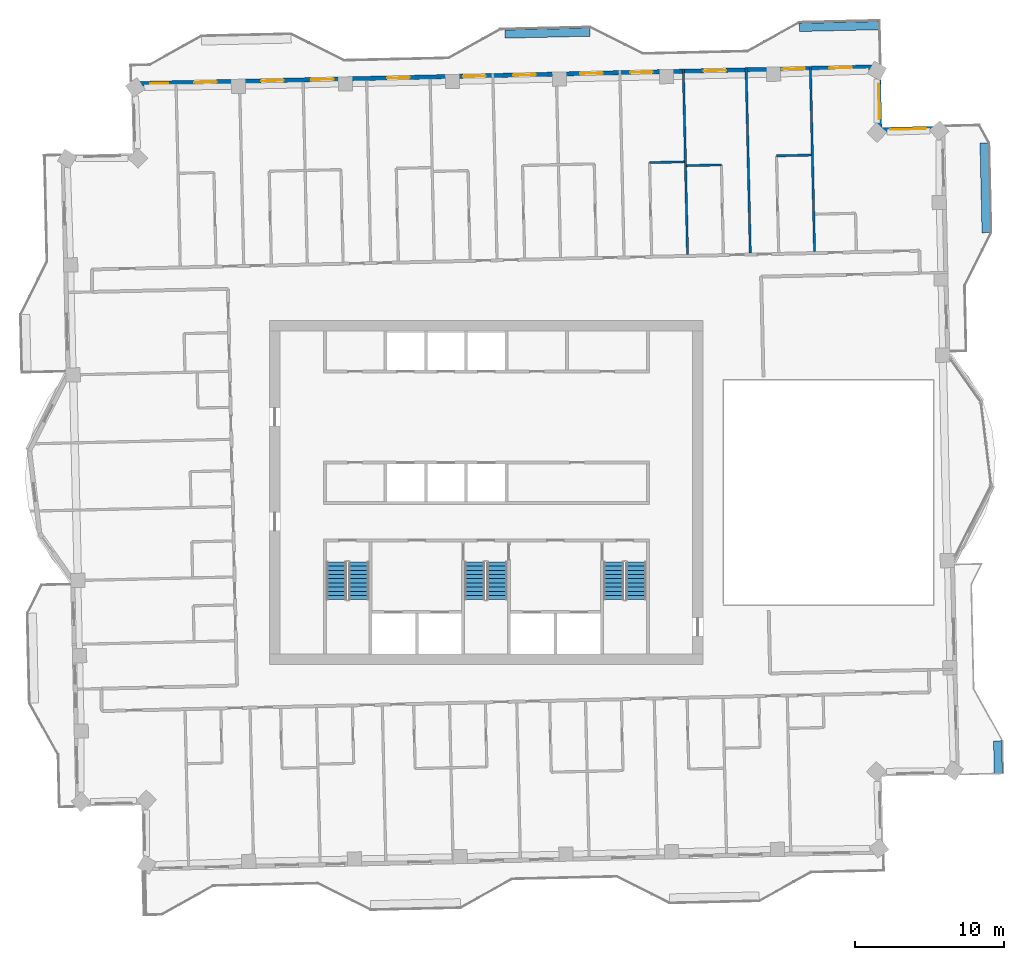
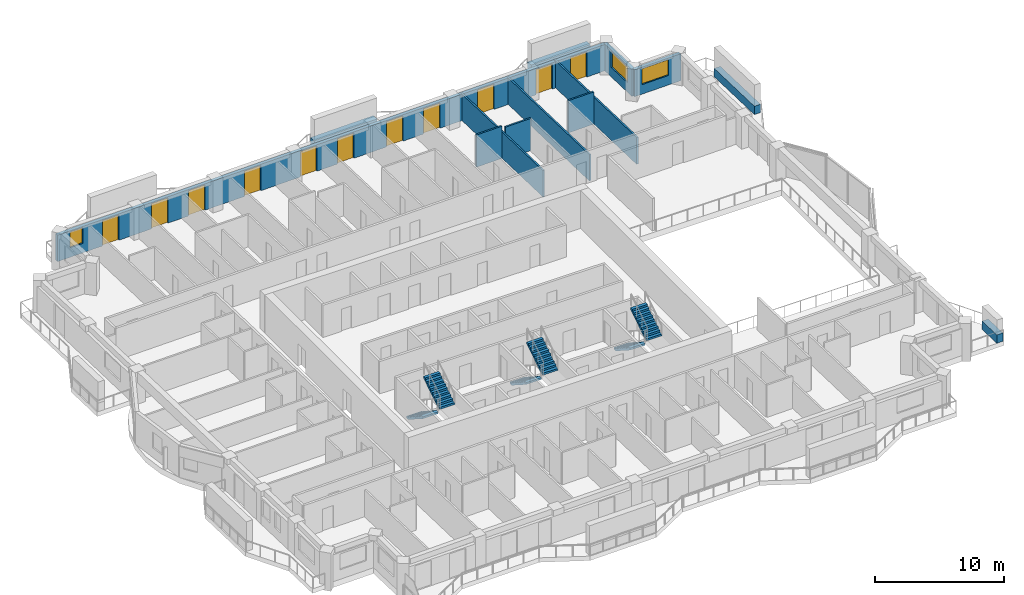
# One storey, part 15 of 20: 13 walls, 11 doors, 6 stair flights, 3 windows, 14 openings, 3 elements without a shape of their own.
"""IFC4 building model written with IfcOpenShell, lengths in metres."""

from ifc_helpers import new_model, si_unit, direction, frame, frame_2d, origin, place, context, subcontext, project, spatial, polyline, rectangle, outline, extrude, material, layer, layer_set, type_object, element, fill, aggregate, save


model = new_model("IFC4")

# Units and contexts
model_context = context("Model", 3, precision=1e-05, world=origin(), true_north=direction((0.0, 1.0)))
body_context = subcontext(model_context, "Body", "Model", "MODEL_VIEW")
ifc_project = project(units=[si_unit("LENGTHUNIT", "METRE"), si_unit("AREAUNIT", "SQUARE_METRE"), si_unit("VOLUMEUNIT", "CUBIC_METRE"), si_unit("PLANEANGLEUNIT", "RADIAN"), si_unit("MASSUNIT", "GRAM", prefix="KILO")], contexts=[model_context])

# Site, building, storey
site_placement = place(None, origin())
site = spatial("IfcSite", under=ifc_project, at=site_placement, CompositionType="ELEMENT")
building_placement = place(site_placement, origin())
building = spatial("IfcBuilding", under=site, at=building_placement, Name="Mangrove Gate Tower", CompositionType="ELEMENT")
storey_placement = place(building_placement, frame((0.0, 0.0, 294.300048828125)))
storey = spatial("IfcBuildingStorey", under=building, at=storey_placement, Name="L75", CompositionType="ELEMENT", Elevation=294.300048828125)

# Wall, opening, window
ifc_material_1 = material(Name="Limestone", Category="masonry")
ifc_layer_1 = layer(ifc_material_1, 0.0400390625, Name="Limestone cladding")
ifc_material_2 = material(Name="Ventilated air gap")
ifc_layer_2 = layer(ifc_material_2, 0.0400390625, Name="Ventilated cavity")
ifc_material_3 = material(Name="Mineral wool insulation")
ifc_layer_3 = layer(ifc_material_3, 0.06005859375, Name="Insulation")
ifc_material_4 = material(Name="Breather membrane")
ifc_layer_4 = layer(ifc_material_4, 0.001953125, Name="Breather membrane")
ifc_material_5 = material(Name="Concrete C20/25 blockwork", Category="masonry")
ifc_layer_5 = layer(ifc_material_5, 0.14990234375, Name="Blockwork backing wall")
ifc_material_6 = material(Name="Gypsum plaster")
ifc_layer_6 = layer(ifc_material_6, 0.008056640625, Name="Internal plaster")
ifc_layer_set_1 = layer_set([ifc_layer_1, ifc_layer_2, ifc_layer_3, ifc_layer_4, ifc_layer_5, ifc_layer_6], Name="External wall 300 limestone cladding")
wall_type_1 = type_object("IfcWallType", Name="External wall 300 limestone cladding", PredefinedType="SOLIDWALL", material=ifc_layer_set_1)
wall_1_placement = place(storey_placement, frame((30.510009765625, 24.362060546875, 0.0), z_axis=(0.0, 0.0, 1.0), x_axis=(-0.999739037152, -0.022844202663, 0.0)))
wall_1 = element("IfcWall", 1, at=wall_1_placement, inside=storey, type_object=wall_type_1, Name="WALL-L75-N3", PredefinedType="SOLIDWALL", context=body_context, shape_type="SweptSolid", body=[
    extrude(rectangle(XDim=4.199951171875, YDim=0.300048828125, at=frame_2d((2.10009765625, 0.0))), origin(), (0.0, 0.0, 1.0), 2.550048828125),
])
opening_1_placement = place(wall_1_placement, frame((1.10009765625, 0.0, 0.89990234375)))
opening_1 = element("IfcOpeningElement", 2, at=opening_1_placement, cuts=wall_1, Name="Opening W2", PredefinedType="OPENING", context=body_context, shape_type="SweptSolid", body=[
    extrude(rectangle(XDim=2.39990234375, YDim=1.5, at=frame_2d((1.199951171875, 0.75))), frame((0.0, 0.159912109375, 0.0), z_axis=(0.0, -1.0, 0.0), x_axis=(1.0, 0.0, 0.0)), (0.0, 0.0, 1.0), 0.320068359375),
])
ifc_material_7 = material(Name="Aluminium frame with double-glazed low-e glass", Category="aluminium")
window_type_1 = type_object("IfcWindowType", Name="Corner room window 2400x1500", PartitioningType="DOUBLE_PANEL_VERTICAL", PredefinedType="WINDOW", material=ifc_material_7)
window_1_placement = place(opening_1_placement, origin())
window_1 = element("IfcWindow", 3, at=window_1_placement, inside=storey, type_object=window_type_1, Name="WIN-L75-N3-1", OverallHeight=1.5, OverallWidth=2.39990234375, PartitioningType="DOUBLE_PANEL_VERTICAL", PredefinedType="WINDOW", context=body_context, shape_type="SweptSolid", body=[
    extrude(rectangle(XDim=2.39990234375, YDim=1.5, at=frame_2d((1.199951171875, 0.75))), frame((0.0, 0.030029296875, 0.0), z_axis=(0.0, -1.0, 0.0), x_axis=(1.0, 0.0, 0.0)), (0.0, 0.0, 1.0), 0.06005859375),
])
fill(opening_1, window_1)

wall_2_placement = place(storey_placement, frame((26.31103515625, 24.26611328125, 0.0), z_axis=(0.0, 0.0, 1.0), x_axis=(-0.022611811187, 0.999744320311, 0.0)))
wall_2 = element("IfcWall", 4, at=wall_2_placement, inside=storey, type_object=wall_type_1, Name="WALL-L75-E4", PredefinedType="SOLIDWALL", context=body_context, shape_type="SweptSolid", body=[
    extrude(rectangle(XDim=4.199951171875, YDim=0.300048828125, at=frame_2d((2.10009765625, 0.0))), origin(), (0.0, 0.0, 1.0), 2.550048828125),
])
opening_2_placement = place(wall_2_placement, frame((0.68798828125, 0.0, 0.89990234375)))
opening_2 = element("IfcOpeningElement", 5, at=opening_2_placement, cuts=wall_2, Name="Opening W2", PredefinedType="OPENING", context=body_context, shape_type="SweptSolid", body=[
    extrude(rectangle(XDim=2.39990234375, YDim=1.5, at=frame_2d((1.199951171875, 0.75))), frame((0.0, 0.159912109375, 0.0), z_axis=(0.0, -1.0, 0.0), x_axis=(1.0, 0.0, 0.0)), (0.0, 0.0, 1.0), 0.320068359375),
])
window_2_placement = place(opening_2_placement, origin())
window_2 = element("IfcWindow", 6, at=window_2_placement, inside=storey, type_object=window_type_1, Name="WIN-L75-E4-1", OverallHeight=1.5, OverallWidth=2.39990234375, PartitioningType="DOUBLE_PANEL_VERTICAL", PredefinedType="WINDOW", context=body_context, shape_type="SweptSolid", body=[
    extrude(rectangle(XDim=2.39990234375, YDim=1.5, at=frame_2d((1.199951171875, 0.75))), frame((0.0, 0.030029296875, 0.0), z_axis=(0.0, -1.0, 0.0), x_axis=(1.0, 0.0, 0.0)), (0.0, 0.0, 1.0), 0.06005859375),
])
fill(opening_2, window_2)

# Wall, openings, doors, window
wall_3_placement = place(storey_placement, frame((26.216064453125, 28.465087890625, 0.0), z_axis=(0.0, 0.0, 1.0), x_axis=(-0.999742843677, -0.022677004157, 0.0)))
wall_3 = element("IfcWall", 7, at=wall_3_placement, inside=storey, type_object=wall_type_1, Name="WALL-L75-N5", PredefinedType="SOLIDWALL", context=body_context, shape_type="SweptSolid", body=[
    extrude(rectangle(XDim=49.835693359375, YDim=0.300048828125, at=frame_2d((24.91796875, 0.0))), origin(), (0.0, 0.0, 1.0), 2.5),
])
opening_3_placement = place(wall_3_placement, frame((1.762939453125, 0.0, 0.0)))
opening_3 = element("IfcOpeningElement", 8, at=opening_3_placement, cuts=wall_3, Name="Opening BD1", PredefinedType="OPENING", context=body_context, shape_type="SweptSolid", body=[
    extrude(rectangle(XDim=1.5, YDim=2.39990234375, at=frame_2d((0.75, 1.199951171875))), frame((0.0, 0.159912109375, 0.0), z_axis=(0.0, -1.0, 0.0), x_axis=(1.0, 0.0, 0.0)), (0.0, 0.0, 1.0), 0.320068359375),
])
opening_4_placement = place(wall_3_placement, frame((4.912109375, 0.0, 0.0)))
opening_4 = element("IfcOpeningElement", 9, at=opening_4_placement, cuts=wall_3, Name="Opening BD1", PredefinedType="OPENING", context=body_context, shape_type="SweptSolid", body=[
    extrude(rectangle(XDim=1.5, YDim=2.39990234375, at=frame_2d((0.75, 1.199951171875))), frame((0.0, 0.159912109375, 0.0), z_axis=(0.0, -1.0, 0.0), x_axis=(1.0, 0.0, 0.0)), (0.0, 0.0, 1.0), 0.320068359375),
])
opening_5_placement = place(wall_3_placement, frame((10.18603515625, 0.0, 0.0)))
opening_5 = element("IfcOpeningElement", 10, at=opening_5_placement, cuts=wall_3, Name="Opening BD1", PredefinedType="OPENING", context=body_context, shape_type="SweptSolid", body=[
    extrude(rectangle(XDim=1.5, YDim=2.39990234375, at=frame_2d((0.75, 1.199951171875))), frame((0.0, 0.159912109375, 0.0), z_axis=(0.0, -1.0, 0.0), x_axis=(1.0, 0.0, 0.0)), (0.0, 0.0, 1.0), 0.320068359375),
])
opening_6_placement = place(wall_3_placement, frame((15.093017578125, 0.0, 0.0)))
opening_6 = element("IfcOpeningElement", 11, at=opening_6_placement, cuts=wall_3, Name="Opening BD1", PredefinedType="OPENING", context=body_context, shape_type="SweptSolid", body=[
    extrude(rectangle(XDim=1.5, YDim=2.39990234375, at=frame_2d((0.75, 1.199951171875))), frame((0.0, 0.159912109375, 0.0), z_axis=(0.0, -1.0, 0.0), x_axis=(1.0, 0.0, 0.0)), (0.0, 0.0, 1.0), 0.320068359375),
])
opening_7_placement = place(wall_3_placement, frame((18.448974609375, 0.0, 0.0)))
opening_7 = element("IfcOpeningElement", 12, at=opening_7_placement, cuts=wall_3, Name="Opening BD1", PredefinedType="OPENING", context=body_context, shape_type="SweptSolid", body=[
    extrude(rectangle(XDim=1.5, YDim=2.39990234375, at=frame_2d((0.75, 1.199951171875))), frame((0.0, 0.159912109375, 0.0), z_axis=(0.0, -1.0, 0.0), x_axis=(1.0, 0.0, 0.0)), (0.0, 0.0, 1.0), 0.320068359375),
])
opening_8_placement = place(wall_3_placement, frame((22.924072265625, 0.0, 0.0)))
opening_8 = element("IfcOpeningElement", 13, at=opening_8_placement, cuts=wall_3, Name="Opening BD1", PredefinedType="OPENING", context=body_context, shape_type="SweptSolid", body=[
    extrude(rectangle(XDim=1.5, YDim=2.39990234375, at=frame_2d((0.75, 1.199951171875))), frame((0.0, 0.159912109375, 0.0), z_axis=(0.0, -1.0, 0.0), x_axis=(1.0, 0.0, 0.0)), (0.0, 0.0, 1.0), 0.320068359375),
])
opening_9_placement = place(wall_3_placement, frame((26.280029296875, 0.0, 0.0)))
opening_9 = element("IfcOpeningElement", 14, at=opening_9_placement, cuts=wall_3, Name="Opening BD1", PredefinedType="OPENING", context=body_context, shape_type="SweptSolid", body=[
    extrude(rectangle(XDim=1.5, YDim=2.39990234375, at=frame_2d((0.75, 1.199951171875))), frame((0.0, 0.159912109375, 0.0), z_axis=(0.0, -1.0, 0.0), x_axis=(1.0, 0.0, 0.0)), (0.0, 0.0, 1.0), 0.320068359375),
])
opening_10_placement = place(wall_3_placement, frame((31.361083984375, 0.0, 0.0)))
opening_10 = element("IfcOpeningElement", 15, at=opening_10_placement, cuts=wall_3, Name="Opening BD1", PredefinedType="OPENING", context=body_context, shape_type="SweptSolid", body=[
    extrude(rectangle(XDim=1.5, YDim=2.39990234375, at=frame_2d((0.75, 1.199951171875))), frame((0.0, 0.159912109375, 0.0), z_axis=(0.0, -1.0, 0.0), x_axis=(1.0, 0.0, 0.0)), (0.0, 0.0, 1.0), 0.320068359375),
])
opening_11_placement = place(wall_3_placement, frame((36.43701171875, 0.0, 0.0)))
opening_11 = element("IfcOpeningElement", 16, at=opening_11_placement, cuts=wall_3, Name="Opening BD1", PredefinedType="OPENING", context=body_context, shape_type="SweptSolid", body=[
    extrude(rectangle(XDim=1.5, YDim=2.39990234375, at=frame_2d((0.75, 1.199951171875))), frame((0.0, 0.159912109375, 0.0), z_axis=(0.0, -1.0, 0.0), x_axis=(1.0, 0.0, 0.0)), (0.0, 0.0, 1.0), 0.320068359375),
])
opening_12_placement = place(wall_3_placement, frame((39.79296875, 0.0, 0.0)))
opening_12 = element("IfcOpeningElement", 17, at=opening_12_placement, cuts=wall_3, Name="Opening BD1", PredefinedType="OPENING", context=body_context, shape_type="SweptSolid", body=[
    extrude(rectangle(XDim=1.5, YDim=2.39990234375, at=frame_2d((0.75, 1.199951171875))), frame((0.0, 0.159912109375, 0.0), z_axis=(0.0, -1.0, 0.0), x_axis=(1.0, 0.0, 0.0)), (0.0, 0.0, 1.0), 0.320068359375),
])
opening_13_placement = place(wall_3_placement, frame((44.26708984375, 0.0, 0.0)))
opening_13 = element("IfcOpeningElement", 18, at=opening_13_placement, cuts=wall_3, Name="Opening BD1", PredefinedType="OPENING", context=body_context, shape_type="SweptSolid", body=[
    extrude(rectangle(XDim=1.5, YDim=2.39990234375, at=frame_2d((0.75, 1.199951171875))), frame((0.0, 0.159912109375, 0.0), z_axis=(0.0, -1.0, 0.0), x_axis=(1.0, 0.0, 0.0)), (0.0, 0.0, 1.0), 0.320068359375),
])
opening_14_placement = place(wall_3_placement, frame((47.52392578125, 0.0, 0.89990234375)))
opening_14 = element("IfcOpeningElement", 19, at=opening_14_placement, cuts=wall_3, Name="Opening W1", PredefinedType="OPENING", context=body_context, shape_type="SweptSolid", body=[
    extrude(rectangle(XDim=1.199951171875, YDim=1.5, at=frame_2d((0.60009765625, 0.75))), frame((0.0, 0.159912109375, 0.0), z_axis=(0.0, -1.0, 0.0), x_axis=(1.0, 0.0, 0.0)), (0.0, 0.0, 1.0), 0.320068359375),
])
ifc_material_8 = material(Name="Aluminium frame with laminated clear glass", Category="aluminium")
door_type = type_object("IfcDoorType", Name="Balcony sliding door 1500x2400", OperationType="SLIDING_TO_LEFT", PredefinedType="DOOR", material=ifc_material_8)
door_1_placement = place(opening_3_placement, origin())
door_1 = element("IfcDoor", 20, at=door_1_placement, inside=storey, type_object=door_type, Name="DOOR-L75-N5-1", OperationType="SLIDING_TO_LEFT", OverallHeight=2.39990234375, OverallWidth=1.5, PredefinedType="DOOR", context=body_context, shape_type="SweptSolid", body=[
    extrude(rectangle(XDim=1.5, YDim=2.39990234375, at=frame_2d((0.75, 1.199951171875))), frame((0.0, 0.02490234375, 0.0), z_axis=(0.0, -1.0, 0.0), x_axis=(1.0, 0.0, 0.0)), (0.0, 0.0, 1.0), 0.050048828125),
])
fill(opening_3, door_1)
door_2_placement = place(opening_4_placement, origin())
door_2 = element("IfcDoor", 21, at=door_2_placement, inside=storey, type_object=door_type, Name="DOOR-L75-N5-2", OperationType="SLIDING_TO_LEFT", OverallHeight=2.39990234375, OverallWidth=1.5, PredefinedType="DOOR", context=body_context, shape_type="SweptSolid", body=[
    extrude(rectangle(XDim=1.5, YDim=2.39990234375, at=frame_2d((0.75, 1.199951171875))), frame((0.0, 0.02490234375, 0.0), z_axis=(0.0, -1.0, 0.0), x_axis=(1.0, 0.0, 0.0)), (0.0, 0.0, 1.0), 0.050048828125),
])
fill(opening_4, door_2)
door_3_placement = place(opening_5_placement, origin())
door_3 = element("IfcDoor", 22, at=door_3_placement, inside=storey, type_object=door_type, Name="DOOR-L75-N5-3", OperationType="SLIDING_TO_LEFT", OverallHeight=2.39990234375, OverallWidth=1.5, PredefinedType="DOOR", context=body_context, shape_type="SweptSolid", body=[
    extrude(rectangle(XDim=1.5, YDim=2.39990234375, at=frame_2d((0.75, 1.199951171875))), frame((0.0, 0.02490234375, 0.0), z_axis=(0.0, -1.0, 0.0), x_axis=(1.0, 0.0, 0.0)), (0.0, 0.0, 1.0), 0.050048828125),
])
fill(opening_5, door_3)
door_4_placement = place(opening_6_placement, origin())
door_4 = element("IfcDoor", 23, at=door_4_placement, inside=storey, type_object=door_type, Name="DOOR-L75-N5-4", OperationType="SLIDING_TO_LEFT", OverallHeight=2.39990234375, OverallWidth=1.5, PredefinedType="DOOR", context=body_context, shape_type="SweptSolid", body=[
    extrude(rectangle(XDim=1.5, YDim=2.39990234375, at=frame_2d((0.75, 1.199951171875))), frame((0.0, 0.02490234375, 0.0), z_axis=(0.0, -1.0, 0.0), x_axis=(1.0, 0.0, 0.0)), (0.0, 0.0, 1.0), 0.050048828125),
])
fill(opening_6, door_4)
door_5_placement = place(opening_7_placement, origin())
door_5 = element("IfcDoor", 24, at=door_5_placement, inside=storey, type_object=door_type, Name="DOOR-L75-N5-5", OperationType="SLIDING_TO_LEFT", OverallHeight=2.39990234375, OverallWidth=1.5, PredefinedType="DOOR", context=body_context, shape_type="SweptSolid", body=[
    extrude(rectangle(XDim=1.5, YDim=2.39990234375, at=frame_2d((0.75, 1.199951171875))), frame((0.0, 0.02490234375, 0.0), z_axis=(0.0, -1.0, 0.0), x_axis=(1.0, 0.0, 0.0)), (0.0, 0.0, 1.0), 0.050048828125),
])
fill(opening_7, door_5)
door_6_placement = place(opening_8_placement, origin())
door_6 = element("IfcDoor", 25, at=door_6_placement, inside=storey, type_object=door_type, Name="DOOR-L75-N5-6", OperationType="SLIDING_TO_LEFT", OverallHeight=2.39990234375, OverallWidth=1.5, PredefinedType="DOOR", context=body_context, shape_type="SweptSolid", body=[
    extrude(rectangle(XDim=1.5, YDim=2.39990234375, at=frame_2d((0.75, 1.199951171875))), frame((0.0, 0.02490234375, 0.0), z_axis=(0.0, -1.0, 0.0), x_axis=(1.0, 0.0, 0.0)), (0.0, 0.0, 1.0), 0.050048828125),
])
fill(opening_8, door_6)
door_7_placement = place(opening_9_placement, origin())
door_7 = element("IfcDoor", 26, at=door_7_placement, inside=storey, type_object=door_type, Name="DOOR-L75-N5-7", OperationType="SLIDING_TO_LEFT", OverallHeight=2.39990234375, OverallWidth=1.5, PredefinedType="DOOR", context=body_context, shape_type="SweptSolid", body=[
    extrude(rectangle(XDim=1.5, YDim=2.39990234375, at=frame_2d((0.75, 1.199951171875))), frame((0.0, 0.02490234375, 0.0), z_axis=(0.0, -1.0, 0.0), x_axis=(1.0, 0.0, 0.0)), (0.0, 0.0, 1.0), 0.050048828125),
])
fill(opening_9, door_7)
door_8_placement = place(opening_10_placement, origin())
door_8 = element("IfcDoor", 27, at=door_8_placement, inside=storey, type_object=door_type, Name="DOOR-L75-N5-8", OperationType="SLIDING_TO_LEFT", OverallHeight=2.39990234375, OverallWidth=1.5, PredefinedType="DOOR", context=body_context, shape_type="SweptSolid", body=[
    extrude(rectangle(XDim=1.5, YDim=2.39990234375, at=frame_2d((0.75, 1.199951171875))), frame((0.0, 0.02490234375, 0.0), z_axis=(0.0, -1.0, 0.0), x_axis=(1.0, 0.0, 0.0)), (0.0, 0.0, 1.0), 0.050048828125),
])
fill(opening_10, door_8)
door_9_placement = place(opening_11_placement, origin())
door_9 = element("IfcDoor", 28, at=door_9_placement, inside=storey, type_object=door_type, Name="DOOR-L75-N5-9", OperationType="SLIDING_TO_LEFT", OverallHeight=2.39990234375, OverallWidth=1.5, PredefinedType="DOOR", context=body_context, shape_type="SweptSolid", body=[
    extrude(rectangle(XDim=1.5, YDim=2.39990234375, at=frame_2d((0.75, 1.199951171875))), frame((0.0, 0.02490234375, 0.0), z_axis=(0.0, -1.0, 0.0), x_axis=(1.0, 0.0, 0.0)), (0.0, 0.0, 1.0), 0.050048828125),
])
fill(opening_11, door_9)
door_10_placement = place(opening_12_placement, origin())
door_10 = element("IfcDoor", 29, at=door_10_placement, inside=storey, type_object=door_type, Name="DOOR-L75-N5-10", OperationType="SLIDING_TO_LEFT", OverallHeight=2.39990234375, OverallWidth=1.5, PredefinedType="DOOR", context=body_context, shape_type="SweptSolid", body=[
    extrude(rectangle(XDim=1.5, YDim=2.39990234375, at=frame_2d((0.75, 1.199951171875))), frame((0.0, 0.02490234375, 0.0), z_axis=(0.0, -1.0, 0.0), x_axis=(1.0, 0.0, 0.0)), (0.0, 0.0, 1.0), 0.050048828125),
])
fill(opening_12, door_10)
door_11_placement = place(opening_13_placement, origin())
door_11 = element("IfcDoor", 30, at=door_11_placement, inside=storey, type_object=door_type, Name="DOOR-L75-N5-11", OperationType="SLIDING_TO_LEFT", OverallHeight=2.39990234375, OverallWidth=1.5, PredefinedType="DOOR", context=body_context, shape_type="SweptSolid", body=[
    extrude(rectangle(XDim=1.5, YDim=2.39990234375, at=frame_2d((0.75, 1.199951171875))), frame((0.0, 0.02490234375, 0.0), z_axis=(0.0, -1.0, 0.0), x_axis=(1.0, 0.0, 0.0)), (0.0, 0.0, 1.0), 0.050048828125),
])
fill(opening_13, door_11)
ifc_material_9 = material(Name="Aluminium frame with double-glazed low-e glass", Category="aluminium")
window_type_2 = type_object("IfcWindowType", Name="Side lite 1200x1500", PartitioningType="SINGLE_PANEL", PredefinedType="WINDOW", material=ifc_material_9)
window_3_placement = place(opening_14_placement, origin())
window_3 = element("IfcWindow", 31, at=window_3_placement, inside=storey, type_object=window_type_2, Name="WIN-L75-N5-12", OverallHeight=1.5, OverallWidth=1.199951171875, PartitioningType="SINGLE_PANEL", PredefinedType="WINDOW", context=body_context, shape_type="SweptSolid", body=[
    extrude(rectangle(XDim=1.199951171875, YDim=1.5, at=frame_2d((0.60009765625, 0.75))), frame((0.0, 0.030029296875, 0.0), z_axis=(0.0, -1.0, 0.0), x_axis=(1.0, 0.0, 0.0)), (0.0, 0.0, 1.0), 0.06005859375),
])
fill(opening_14, window_3)

# Walls
ifc_material_10 = material(Name="Gypsum board on steel stud, EI 60", Category="steel")
ifc_layer_7 = layer(ifc_material_10, 0.14990234375)
ifc_layer_set_2 = layer_set([ifc_layer_7], Name="Party wall 150 EI 60")
wall_type_2 = type_object("IfcWallType", Name="Party wall 150 EI 60", PredefinedType="PARTITIONING", material=ifc_layer_set_2)
for number, where, z_axis, x_axis, name in (
    (32, (13.458984375, 15.923095703125, 0.0), (0.0, 0.0, 1.0), (-0.022661475803, 0.999743195783, 0.0), "WALL-L75-077"),
    (33, (17.657958984375, 16.01806640625, 0.0), (0.0, 0.0, 1.0), (-0.022661475803, 0.999743195783, 0.0), "WALL-L75-079"),
):
    element("IfcWall", number, at=place(storey_placement, frame(where, z_axis=z_axis, x_axis=x_axis)), inside=storey, type_object=wall_type_2, Name=name, PredefinedType="PARTITIONING", context=body_context, shape_type="SweptSolid", body=[
        extrude(rectangle(XDim=12.400146484375, YDim=0.14990234375, at=frame_2d((6.2001953125, 0.0))), origin(), (0.0, 0.0, 1.0), 2.5),
    ])
wall_4_placement = place(storey_placement, frame((21.95703125, 16.115966796875, 0.0), z_axis=(0.0, 0.0, 1.0), x_axis=(-0.022663260168, 0.999743155335, 0.0)))
element("IfcWall", 34, at=wall_4_placement, inside=storey, type_object=wall_type_2, Name="WALL-L75-081", PredefinedType="PARTITIONING", context=body_context, shape_type="SweptSolid", body=[
    extrude(rectangle(XDim=12.399169921875, YDim=0.14990234375, at=frame_2d((6.19970703125, 0.0))), origin(), (0.0, 0.0, 1.0), 2.550048828125),
])
for number, where, z_axis, x_axis, name in (
    (35, (13.40087890625, 21.863037109375, 0.0), (0.0, 0.0, 1.0), (0.99974053329, 0.022778632478, 0.0), "WALL-L75-085"),
    (36, (10.9208984375, 22.06689453125, 0.0), (0.0, 0.0, 1.0), (0.999750007167, 0.022358961731, 0.0), "WALL-L75-090"),
):
    element("IfcWall", number, at=place(storey_placement, frame(where, z_axis=z_axis, x_axis=x_axis)), inside=storey, type_object=wall_type_2, Name=name, PredefinedType="PARTITIONING", context=body_context, shape_type="SweptSolid", body=[
        extrude(rectangle(XDim=2.32568359375, YDim=0.14990234375, at=frame_2d((1.162841796875, 0.0))), origin(), (0.0, 0.0, 1.0), 3.050048828125),
    ])
wall_5_placement = place(storey_placement, frame((19.4130859375, 22.52001953125, 0.0), z_axis=(0.0, 0.0, 1.0), x_axis=(0.999749954681, 0.022361308448, 0.0)))
element("IfcWall", 37, at=wall_5_placement, inside=storey, type_object=wall_type_2, Name="WALL-L75-091", PredefinedType="PARTITIONING", context=body_context, shape_type="SweptSolid", body=[
    extrude(rectangle(XDim=2.325439453125, YDim=0.14990234375, at=frame_2d((1.16259765625, 0.0))), origin(), (0.0, 0.0, 1.0), 3.050048828125),
])
ifc_material_11 = material(Name="Concrete C32/40", Category="concrete")
ifc_layer_8 = layer(ifc_material_11, 0.199951171875, Name="Planter trough wall")
ifc_material_12 = material(Name="Bituminous waterproofing membrane")
ifc_layer_9 = layer(ifc_material_12, 0.0048828125, Name="Waterproofing")
ifc_material_13 = material(Name="Drainage board and gravel")
ifc_layer_10 = layer(ifc_material_13, 0.044921875, Name="Drainage layer")
ifc_material_14 = material(Name="Planting soil")
ifc_layer_11 = layer(ifc_material_14, 0.300048828125, Name="Growing medium")
ifc_layer_set_3 = layer_set([ifc_layer_8, ifc_layer_9, ifc_layer_10, ifc_layer_11], Name="Planter wall 550 C32/40")
wall_type_3 = type_object("IfcWallType", Name="Planter wall 550 C32/40", PredefinedType="USERDEFINED", material=ifc_layer_set_3)
wall_6_placement = place(storey_placement, frame((34.256103515625, -18.81396484375, 0.0), z_axis=(0.0, 0.0, 1.0), x_axis=(-0.022754182687, 0.999741090068, 0.0)))
element("IfcWall", 38, at=wall_6_placement, inside=storey, type_object=wall_type_3, Name="PLANTER L75 E0.1", ObjectType="PLANTER", PredefinedType="USERDEFINED", context=body_context, shape_type="SweptSolid", body=[
    extrude(rectangle(XDim=2.199462890625, YDim=0.550048828125, at=frame_2d((1.099609375, 0.0))), origin(), (0.0, 0.0, 1.0), 0.800048828125),
])
wall_7_placement = place(storey_placement, frame((33.43408203125, 17.376953125, 0.0), z_axis=(0.0, 0.0, 1.0), x_axis=(-0.022665943652, 0.999743094499, 0.0)))
element("IfcWall", 39, at=wall_7_placement, inside=storey, type_object=wall_type_3, Name="PLANTER L75 E1.1", ObjectType="PLANTER", PredefinedType="USERDEFINED", context=body_context, shape_type="SweptSolid", body=[
    extrude(rectangle(XDim=5.99951171875, YDim=0.550048828125, at=frame_2d((2.999755859375, 0.0))), origin(), (0.0, 0.0, 1.0), 0.800048828125),
])
wall_8_placement = place(storey_placement, frame((1.240966796875, 30.6640625, 0.0), z_axis=(0.0, 0.0, 1.0), x_axis=(0.999740396355, 0.022784641685, 0.0)))
element("IfcWall", 40, at=wall_8_placement, inside=storey, type_object=wall_type_3, Name="PLANTER L75 N0.1", ObjectType="PLANTER", PredefinedType="USERDEFINED", context=body_context, shape_type="SweptSolid", body=[
    extrude(rectangle(XDim=5.700439453125, YDim=0.550048828125, at=frame_2d((2.85009765625, 0.0))), origin(), (0.0, 0.0, 1.0), 0.800048828125),
])
wall_9_placement = place(storey_placement, frame((20.93603515625, 31.111083984375, 0.0), z_axis=(0.0, 0.0, 1.0), x_axis=(0.999742469077, 0.022693512809, 0.0)))
element("IfcWall", 41, at=wall_9_placement, inside=storey, type_object=wall_type_3, Name="PLANTER L75 N0.2", ObjectType="PLANTER", PredefinedType="USERDEFINED", context=body_context, shape_type="SweptSolid", body=[
    extrude(rectangle(XDim=5.368408203125, YDim=0.550048828125, at=frame_2d((2.68408203125, 0.0))), origin(), (0.0, 0.0, 1.0), 0.800048828125),
])

# Stair, stair flights
ifc_material_15 = material(Name="Concrete C40/50", Category="concrete")
stair_type = type_object("IfcStairType", Name="Core stair 1350", PredefinedType="HALF_TURN_STAIR", material=ifc_material_15)
stair_1_placement = place(storey_placement, origin())
stair_1 = element("IfcStair", 42, at=stair_1_placement, inside=storey, type_object=stair_type, Name="L75 Stair 1", PredefinedType="HALF_TURN_STAIR")
ifc_material_16 = material(Name="Concrete C40/50", Category="concrete")
stair_flight_type = type_object("IfcStairFlightType", Name="Core stair flight 1350", PredefinedType="STRAIGHT", material=ifc_material_16)
stair_flight_1_placement = place(storey_placement, frame((-10.02490234375, -4.64990234375, 0.0), z_axis=(0.0, 0.0, 1.0), x_axis=(0.0, -1.0, 0.0)))
stair_flight_1 = element("IfcStairFlight", 43, at=stair_flight_1_placement, type_object=stair_flight_type, Name="ST1 flight 1", NumberOfRisers=10, NumberOfTreads=9, PredefinedType="STRAIGHT", RiserHeight=0.18, TreadLength=0.28, context=body_context, shape_type="SweptSolid", body=[
    extrude(outline(polyline([(0.0, 0.0), (0.0, 0.179931640625), (0.280029296875, 0.179931640625), (0.280029296875, 0.360107421875), (0.56005859375, 0.360107421875), (0.56005859375, 0.5400390625), (0.840087890625, 0.5400390625), (0.840087890625, 0.719970703125), (1.1201171875, 0.719970703125), (1.1201171875, 0.89990234375), (1.39990234375, 0.89990234375), (1.39990234375, 1.080078125), (1.679931640625, 1.080078125), (1.679931640625, 1.260009765625), (1.9599609375, 1.260009765625), (1.9599609375, 1.43994140625), (2.239990234375, 1.43994140625), (2.239990234375, 1.6201171875), (2.52001953125, 1.6201171875), (2.52001953125, 1.800048828125), (2.52001953125, 1.44189453125), (0.277099609375, 0.0), (0.0, 0.0)])), frame((0.0, 0.675048828125, 0.0), z_axis=(0.0, -1.0, 0.0), x_axis=(1.0, 0.0, 0.0)), (0.0, 0.0, 1.0), 1.35009765625),
])
stair_flight_2_placement = place(storey_placement, frame((-8.52490234375, -7.169921875, 1.800048828125), z_axis=(0.0, 0.0, 1.0), x_axis=(0.0, 1.0, 0.0)))
stair_flight_2 = element("IfcStairFlight", 44, at=stair_flight_2_placement, type_object=stair_flight_type, Name="ST1 flight 2", NumberOfRisers=10, NumberOfTreads=9, PredefinedType="STRAIGHT", RiserHeight=0.18, TreadLength=0.28, context=body_context, shape_type="SweptSolid", body=[
    extrude(outline(polyline([(0.0, 0.0), (0.0, 0.179931640625), (0.280029296875, 0.179931640625), (0.280029296875, 0.360107421875), (0.56005859375, 0.360107421875), (0.56005859375, 0.5400390625), (0.840087890625, 0.5400390625), (0.840087890625, 0.719970703125), (1.1201171875, 0.719970703125), (1.1201171875, 0.89990234375), (1.39990234375, 0.89990234375), (1.39990234375, 1.080078125), (1.679931640625, 1.080078125), (1.679931640625, 1.260009765625), (1.9599609375, 1.260009765625), (1.9599609375, 1.43994140625), (2.239990234375, 1.43994140625), (2.239990234375, 1.6201171875), (2.52001953125, 1.6201171875), (2.52001953125, 1.800048828125), (2.52001953125, 1.44189453125), (0.277099609375, 0.0), (0.0, 0.0)])), frame((0.0, 0.675048828125, 0.0), z_axis=(0.0, -1.0, 0.0), x_axis=(1.0, 0.0, 0.0)), (0.0, 0.0, 1.0), 1.35009765625),
])
aggregate(stair_1, [stair_flight_1, stair_flight_2])

stair_2_placement = place(storey_placement, origin())
stair_2 = element("IfcStair", 45, at=stair_2_placement, inside=storey, type_object=stair_type, Name="L75 Stair 2", PredefinedType="HALF_TURN_STAIR")
stair_flight_3_placement = place(storey_placement, frame((-0.77490234375, -4.64990234375, 0.0), z_axis=(0.0, 0.0, 1.0), x_axis=(0.0, -1.0, 0.0)))
stair_flight_3 = element("IfcStairFlight", 46, at=stair_flight_3_placement, type_object=stair_flight_type, Name="ST2 flight 1", NumberOfRisers=10, NumberOfTreads=9, PredefinedType="STRAIGHT", RiserHeight=0.18, TreadLength=0.28, context=body_context, shape_type="SweptSolid", body=[
    extrude(outline(polyline([(0.0, 0.0), (0.0, 0.179931640625), (0.280029296875, 0.179931640625), (0.280029296875, 0.360107421875), (0.56005859375, 0.360107421875), (0.56005859375, 0.5400390625), (0.840087890625, 0.5400390625), (0.840087890625, 0.719970703125), (1.1201171875, 0.719970703125), (1.1201171875, 0.89990234375), (1.39990234375, 0.89990234375), (1.39990234375, 1.080078125), (1.679931640625, 1.080078125), (1.679931640625, 1.260009765625), (1.9599609375, 1.260009765625), (1.9599609375, 1.43994140625), (2.239990234375, 1.43994140625), (2.239990234375, 1.6201171875), (2.52001953125, 1.6201171875), (2.52001953125, 1.800048828125), (2.52001953125, 1.44189453125), (0.277099609375, 0.0), (0.0, 0.0)])), frame((0.0, 0.675048828125, 0.0), z_axis=(0.0, -1.0, 0.0), x_axis=(1.0, 0.0, 0.0)), (0.0, 0.0, 1.0), 1.35009765625),
])
stair_flight_4_placement = place(storey_placement, frame((0.72509765625, -7.169921875, 1.800048828125), z_axis=(0.0, 0.0, 1.0), x_axis=(0.0, 1.0, 0.0)))
stair_flight_4 = element("IfcStairFlight", 47, at=stair_flight_4_placement, type_object=stair_flight_type, Name="ST2 flight 2", NumberOfRisers=10, NumberOfTreads=9, PredefinedType="STRAIGHT", RiserHeight=0.18, TreadLength=0.28, context=body_context, shape_type="SweptSolid", body=[
    extrude(outline(polyline([(0.0, 0.0), (0.0, 0.179931640625), (0.280029296875, 0.179931640625), (0.280029296875, 0.360107421875), (0.56005859375, 0.360107421875), (0.56005859375, 0.5400390625), (0.840087890625, 0.5400390625), (0.840087890625, 0.719970703125), (1.1201171875, 0.719970703125), (1.1201171875, 0.89990234375), (1.39990234375, 0.89990234375), (1.39990234375, 1.080078125), (1.679931640625, 1.080078125), (1.679931640625, 1.260009765625), (1.9599609375, 1.260009765625), (1.9599609375, 1.43994140625), (2.239990234375, 1.43994140625), (2.239990234375, 1.6201171875), (2.52001953125, 1.6201171875), (2.52001953125, 1.800048828125), (2.52001953125, 1.44189453125), (0.277099609375, 0.0), (0.0, 0.0)])), frame((0.0, 0.675048828125, 0.0), z_axis=(0.0, -1.0, 0.0), x_axis=(1.0, 0.0, 0.0)), (0.0, 0.0, 1.0), 1.35009765625),
])
aggregate(stair_2, [stair_flight_3, stair_flight_4])

stair_3_placement = place(storey_placement, origin())
stair_3 = element("IfcStair", 48, at=stair_3_placement, inside=storey, type_object=stair_type, Name="L75 Stair 3", PredefinedType="HALF_TURN_STAIR")
stair_flight_5_placement = place(storey_placement, frame((8.52490234375, -4.64990234375, 0.0), z_axis=(0.0, 0.0, 1.0), x_axis=(0.0, -1.0, 0.0)))
stair_flight_5 = element("IfcStairFlight", 49, at=stair_flight_5_placement, type_object=stair_flight_type, Name="ST3 flight 1", NumberOfRisers=10, NumberOfTreads=9, PredefinedType="STRAIGHT", RiserHeight=0.18, TreadLength=0.28, context=body_context, shape_type="SweptSolid", body=[
    extrude(outline(polyline([(0.0, 0.0), (0.0, 0.179931640625), (0.280029296875, 0.179931640625), (0.280029296875, 0.360107421875), (0.56005859375, 0.360107421875), (0.56005859375, 0.5400390625), (0.840087890625, 0.5400390625), (0.840087890625, 0.719970703125), (1.1201171875, 0.719970703125), (1.1201171875, 0.89990234375), (1.39990234375, 0.89990234375), (1.39990234375, 1.080078125), (1.679931640625, 1.080078125), (1.679931640625, 1.260009765625), (1.9599609375, 1.260009765625), (1.9599609375, 1.43994140625), (2.239990234375, 1.43994140625), (2.239990234375, 1.6201171875), (2.52001953125, 1.6201171875), (2.52001953125, 1.800048828125), (2.52001953125, 1.44189453125), (0.277099609375, 0.0), (0.0, 0.0)])), frame((0.0, 0.675048828125, 0.0), z_axis=(0.0, -1.0, 0.0), x_axis=(1.0, 0.0, 0.0)), (0.0, 0.0, 1.0), 1.35009765625),
])
stair_flight_6_placement = place(storey_placement, frame((10.02490234375, -7.169921875, 1.800048828125), z_axis=(0.0, 0.0, 1.0), x_axis=(0.0, 1.0, 0.0)))
stair_flight_6 = element("IfcStairFlight", 50, at=stair_flight_6_placement, type_object=stair_flight_type, Name="ST3 flight 2", NumberOfRisers=10, NumberOfTreads=9, PredefinedType="STRAIGHT", RiserHeight=0.18, TreadLength=0.28, context=body_context, shape_type="SweptSolid", body=[
    extrude(outline(polyline([(0.0, 0.0), (0.0, 0.179931640625), (0.280029296875, 0.179931640625), (0.280029296875, 0.360107421875), (0.56005859375, 0.360107421875), (0.56005859375, 0.5400390625), (0.840087890625, 0.5400390625), (0.840087890625, 0.719970703125), (1.1201171875, 0.719970703125), (1.1201171875, 0.89990234375), (1.39990234375, 0.89990234375), (1.39990234375, 1.080078125), (1.679931640625, 1.080078125), (1.679931640625, 1.260009765625), (1.9599609375, 1.260009765625), (1.9599609375, 1.43994140625), (2.239990234375, 1.43994140625), (2.239990234375, 1.6201171875), (2.52001953125, 1.6201171875), (2.52001953125, 1.800048828125), (2.52001953125, 1.44189453125), (0.277099609375, 0.0), (0.0, 0.0)])), frame((0.0, 0.675048828125, 0.0), z_axis=(0.0, -1.0, 0.0), x_axis=(1.0, 0.0, 0.0)), (0.0, 0.0, 1.0), 1.35009765625),
])
aggregate(stair_3, [stair_flight_5, stair_flight_6])

save(model, "model.ifc")
